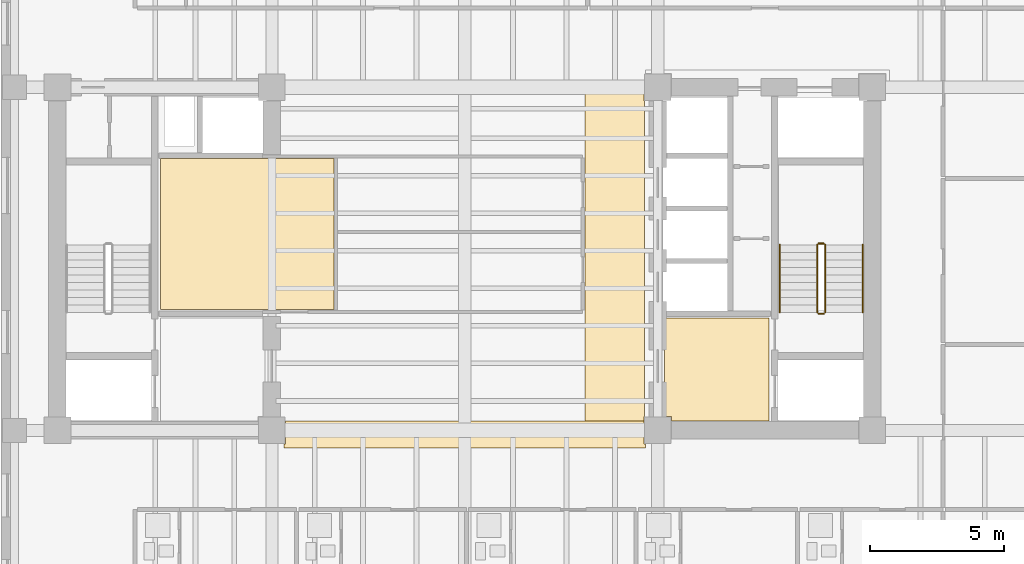
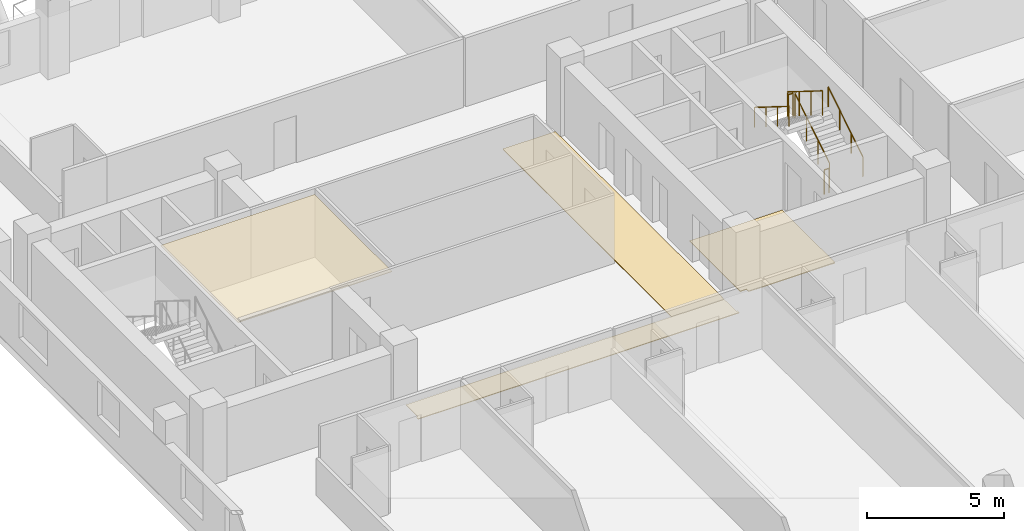
# One storey, part 10 of 12: 6 railings, 4 coverings.
"""IFC4 building model written with IfcOpenShell, lengths in metres."""

import ifcopenshell
import ifcopenshell.guid

model = None  # the IFC model being written
_history = None  # IfcOwnerHistory: only IFC2X3 demands one
_inside = {}  # id of a spatial element -> (the spatial element, [elements in it])
_under = {}  # id of a project, library or spatial element -> (it, [spatial elements below it])
_declared = {}  # id of a project -> (the project, [libraries it declares])
_typed = {}  # id of a type object -> (the type object, [elements of that type])
_made_of = {}  # id of a material, layer set ... -> (it, [elements and type objects made of it])


def new_model(schema):
    """Start an empty IFC model of exactly this schema.

    Asked for "IFC4X3", IfcOpenShell would pick the latest addendum, in which some entities
    have other attributes; the version numbers below select the first issue.
    IFC2X3 requires an IfcOwnerHistory on every rooted entity: one is made here for all.
    """
    global model, _history
    if schema == "IFC4X3":
        model = ifcopenshell.file(schema_version=(4, 3, 0, 0))
    else:
        model = ifcopenshell.file(schema=schema)
    _inside.clear()
    _under.clear()
    _declared.clear()
    _typed.clear()
    _made_of.clear()
    _history = None
    if model.schema == "IFC2X3":
        org = make("IfcOrganization", Name="unknown")
        user = make(
            "IfcPersonAndOrganization",
            ThePerson=make("IfcPerson", FamilyName="unknown"),
            TheOrganization=org,
        )
        app = make(
            "IfcApplication",
            ApplicationDeveloper=org,
            Version="unknown",
            ApplicationFullName="unknown",
            ApplicationIdentifier="unknown",
        )
        _history = make(
            "IfcOwnerHistory",
            OwningUser=user,
            OwningApplication=app,
            ChangeAction="ADDED",
            CreationDate=0,
        )
    return model


def make(cls, **values):
    """One entity of the class cls with the attributes given. An attribute that is None is left unset."""
    return model.create_entity(
        cls, **{name: value for name, value in values.items() if value is not None}
    )


def rooted(cls, **values):
    """An entity with a GlobalId (a new one), such as an element, a storey or a relation."""
    return make(cls, GlobalId=ifcopenshell.guid.new(), OwnerHistory=_history, **values)


def si_unit(unit_type, name, prefix=None):
    """IfcSIUnit, for example si_unit("LENGTHUNIT", "METRE", prefix="MILLI")."""
    return make("IfcSIUnit", UnitType=unit_type, Prefix=prefix, Name=name)


def assignment(units):
    """IfcUnitAssignment: the units of a project."""
    return None if units is None else make("IfcUnitAssignment", Units=units)


def point(xyz):
    """IfcCartesianPoint."""
    return None if xyz is None else make("IfcCartesianPoint", Coordinates=xyz)


def direction(xyz):
    """IfcDirection."""
    return None if xyz is None else make("IfcDirection", DirectionRatios=xyz)


def frame(location, z_axis=None, x_axis=None):
    """IfcAxis2Placement3D, a coordinate frame: its origin and axes. An axis left out is left unset."""
    return make(
        "IfcAxis2Placement3D",
        Location=point(location),
        Axis=direction(z_axis),
        RefDirection=direction(x_axis),
    )


def frame_2d(location, x_axis=None):
    """IfcAxis2Placement2D, a coordinate frame in the plane: its origin and x axis."""
    return make(
        "IfcAxis2Placement2D", Location=point(location), RefDirection=direction(x_axis)
    )


def origin():
    """The frame at (0, 0, 0) with its axes left unset."""
    return frame((0.0, 0.0, 0.0))


def origin_2d():
    """The frame at (0, 0) in the plane with its x axis left unset."""
    return frame_2d((0.0, 0.0))


def place(relative_to, where):
    """IfcLocalPlacement: puts the frame where relative to a parent placement (None: the world)."""
    return make(
        "IfcLocalPlacement", PlacementRelTo=relative_to, RelativePlacement=where
    )


def context(
    kind, dimensions, precision=None, world=None, true_north=None, identifier=None
):
    """IfcGeometricRepresentationContext, for example the 3D "Model" context."""
    return make(
        "IfcGeometricRepresentationContext",
        ContextIdentifier=identifier,
        ContextType=kind,
        CoordinateSpaceDimension=dimensions,
        Precision=precision,
        WorldCoordinateSystem=world,
        TrueNorth=true_north,
    )


def subcontext(parent, identifier, kind, view, scale=None):
    """IfcGeometricRepresentationSubContext, for example "Body" below "Model"."""
    return make(
        "IfcGeometricRepresentationSubContext",
        ContextIdentifier=identifier,
        ContextType=kind,
        ParentContext=parent,
        TargetScale=scale,
        TargetView=view,
    )


def project(units=None, contexts=None):
    """IfcProject with its units and contexts."""
    return rooted(
        "IfcProject",
        Name="project",
        RepresentationContexts=contexts,
        UnitsInContext=assignment(units),
    )


def spatial(cls, under=None, at=None, **own):
    """A site, building, storey or space (cls), placed at a placement, below another one or the project."""
    s = rooted(cls, ObjectPlacement=at, **own)
    if under is not None:
        _under.setdefault(under.id(), (under, []))[1].append(s)
    return s


def polyline(points):
    """IfcPolyline through the points."""
    return make("IfcPolyline", Points=[point(p) for p in points])


def profile(cls, at=None, kind="AREA", **sizes):
    """A parametric profile (cls). Its sizes go by their IFC names, for example OverallWidth=200.0."""
    return make(cls, ProfileType=kind, Position=at, **sizes)


def circle(**sizes):
    """IfcCircleProfileDef."""
    return profile("IfcCircleProfileDef", **sizes)


def outline(outer, holes=None, kind="AREA"):
    """IfcArbitraryClosedProfileDef: a profile drawn as a closed curve; with holes, ...WithVoids."""
    if holes is None:
        return make("IfcArbitraryClosedProfileDef", ProfileType=kind, OuterCurve=outer)
    return make(
        "IfcArbitraryProfileDefWithVoids",
        ProfileType=kind,
        OuterCurve=outer,
        InnerCurves=holes,
    )


def extrude(swept, where, along, depth):
    """IfcExtrudedAreaSolid: the profile swept, set in the frame where, extruded along a direction by depth."""
    return make(
        "IfcExtrudedAreaSolid",
        SweptArea=swept,
        Position=where,
        ExtrudedDirection=direction(along),
        Depth=depth,
    )


def shape(context_of_items, identifier, shape_type, items):
    """IfcShapeRepresentation: the items that make up one representation, for example the "Body"."""
    return make(
        "IfcShapeRepresentation",
        ContextOfItems=context_of_items,
        RepresentationIdentifier=identifier,
        RepresentationType=shape_type,
        Items=items,
    )


def material(Name=None, Category=None):
    """IfcMaterial."""
    return make("IfcMaterial", Name=Name, Category=Category)


def layer(
    of_material, thickness, ventilated=None, Name=None, Category=None, Priority=None
):
    """IfcMaterialLayer: one layer of a wall or slab, of a material (None: an air gap)."""
    return make(
        "IfcMaterialLayer",
        Material=of_material,
        LayerThickness=thickness,
        IsVentilated=ventilated,
        Name=Name,
        Category=Category,
        Priority=Priority,
    )


def layer_set(layers, Name=None):
    """IfcMaterialLayerSet."""
    return make("IfcMaterialLayerSet", MaterialLayers=layers, LayerSetName=Name)


def made_of(thing, what):
    """Note that an element or type object is made of a material, layer set ...; save() writes the relation."""
    if what is not None:
        _made_of.setdefault(what.id(), (what, []))[1].append(thing)
    return thing


def type_object(cls, material=None, **own):
    """A type object (cls), such as IfcWallType, which elements share."""
    return made_of(rooted(cls, **own), material)


def element(
    cls,
    number,
    at=None,
    inside=None,
    cuts=None,
    type_object=None,
    material=None,
    context=None,
    identifier="Body",
    shape_type=None,
    held_by="IfcProductDefinitionShape",
    body=None,
    shapes=None,
    **own,
):
    """One element of the class cls, such as IfcWall. Its Tag is "e" and its number.

    at: its placement. inside: the storey or other place that contains it. cuts: it is an
    opening in that element (IfcRelVoidsElement). A single representation is given by context,
    identifier, shape_type and body (its items); several are given by shapes. held_by: the class
    of the entity that holds the representations. save() writes the other relations.
    """
    e = rooted(cls, Tag="e%d" % number, ObjectPlacement=at, **own)
    if body is not None:
        shapes = [shape(context, identifier, shape_type, body)]
    if shapes is not None:
        e.Representation = make(held_by, Representations=shapes)
    if inside is not None:
        _inside.setdefault(inside.id(), (inside, []))[1].append(e)
    if cuts is not None:
        rooted(
            "IfcRelVoidsElement", RelatingBuildingElement=cuts, RelatedOpeningElement=e
        )
    if type_object is not None:
        _typed.setdefault(type_object.id(), (type_object, []))[1].append(e)
    return made_of(e, material)


def aggregate(whole, parts):
    """IfcRelAggregates: a whole, such as a stair, and the parts it consists of."""
    return rooted("IfcRelAggregates", RelatingObject=whole, RelatedObjects=parts)


def save(model, path):
    """Write the relations noted so far, then the file.

    IfcRelAggregates (storeys below a building ...), IfcRelContainedInSpatialStructure (elements
    in a storey), IfcRelDefinesByType, IfcRelAssociatesMaterial and IfcRelDeclares: one each for
    every whole, place, type object, material and project.
    """
    for whole, parts in _under.values():
        aggregate(whole, parts)
    for where, things in _inside.values():
        rooted(
            "IfcRelContainedInSpatialStructure",
            RelatedElements=things,
            RelatingStructure=where,
        )
    for kind, things in _typed.values():
        rooted("IfcRelDefinesByType", RelatedObjects=things, RelatingType=kind)
    for what, things in _made_of.values():
        rooted("IfcRelAssociatesMaterial", RelatedObjects=things, RelatingMaterial=what)
    for by, libraries in _declared.values():
        rooted("IfcRelDeclares", RelatingContext=by, RelatedDefinitions=libraries)
    model.write(path)


model = new_model("IFC4")

# Units and contexts
model_context = context("Model", 3, precision=1e-05, world=origin(), true_north=direction((0.0, 1.0)))
body_context = subcontext(model_context, "Body", "Model", "MODEL_VIEW")
ifc_project = project(units=[si_unit("LENGTHUNIT", "METRE"), si_unit("AREAUNIT", "SQUARE_METRE"), si_unit("VOLUMEUNIT", "CUBIC_METRE"), si_unit("PLANEANGLEUNIT", "RADIAN"), si_unit("MASSUNIT", "GRAM", prefix="KILO")], contexts=[model_context])

# Site, building, storey
site_placement = place(None, origin())
site = spatial("IfcSite", under=ifc_project, at=site_placement, CompositionType="ELEMENT")
building_placement = place(site_placement, origin())
building = spatial("IfcBuilding", under=site, at=building_placement, Name="Kranthara Brick Stack", CompositionType="ELEMENT")
storey_placement = place(building_placement, frame((0.0, 0.0, 158.800048828125)))
storey = spatial("IfcBuildingStorey", under=building, at=storey_placement, Name="L40", CompositionType="ELEMENT", Elevation=158.800048828125)

# Coverings
ifc_material_1 = material(Name="Perforated mineral-fibre acoustic ceiling tile", Category="other")
ifc_layer_1 = layer(ifc_material_1, 0.02490234375)
ifc_layer_set_1 = layer_set([ifc_layer_1], Name="Perforated mineral-fibre acoustic ceiling tile")
covering_type_1 = type_object("IfcCoveringType", Name="COV-CEIL-ACOUSTIC", PredefinedType="CEILING", material=ifc_layer_set_1)
covering_1_placement = place(storey_placement, frame((0.0, 0.0, 2.780029296875)))
element("IfcCovering", 1, at=covering_1_placement, inside=storey, type_object=covering_type_1, Name="L40 L40 Hotel Business Study Acoustic Ceiling", PredefinedType="CEILING", context=body_context, shape_type="SweptSolid", body=[
    extrude(outline(polyline([(23.1201171875, 25.300048828125), (23.1201171875, 30.93994140625), (16.64990234375, 30.93994140625), (16.64990234375, 25.300048828125), (23.1201171875, 25.300048828125)])), origin(), (0.0, 0.0, 1.0), 0.02490234375),
])
ifc_material_2 = material(Name="Honed terrazzo and porcelain floor finish", Category="stone")
ifc_layer_2 = layer(ifc_material_2, 0.030029296875)
ifc_layer_set_2 = layer_set([ifc_layer_2], Name="Honed terrazzo and porcelain floor finish")
covering_type_2 = type_object("IfcCoveringType", Name="COV-FLOR-STONE", PredefinedType="FLOORING", material=ifc_layer_set_2)
covering_2_placement = place(storey_placement, origin())
element("IfcCovering", 2, at=covering_2_placement, inside=storey, type_object=covering_type_2, Name="L40 Lift Lobby Stone Flooring", PredefinedType="FLOORING", context=body_context, shape_type="SweptSolid", body=[
    extrude(outline(polyline([(35.449951171875, 25.0), (39.35009765625, 25.0), (39.35009765625, 21.14990234375), (35.7099609375, 21.14990234375), (35.7099609375, 21.31005859375), (35.449951171875, 21.31005859375), (35.449951171875, 25.0)])), origin(), (0.0, 0.0, 1.0), 0.030029296875),
])
covering_3_placement = place(storey_placement, origin())
element("IfcCovering", 3, at=covering_3_placement, inside=storey, type_object=covering_type_2, Name="L40 Lift Lobby Stone Flooring", PredefinedType="FLOORING", context=body_context, shape_type="SweptSolid", body=[
    extrude(outline(polyline([(32.47998046875, 33.449951171875), (34.68994140625, 33.449951171875), (34.68994140625, 33.090087890625), (34.699951171875, 33.090087890625), (34.699951171875, 21.31005859375), (34.68994140625, 21.31005859375), (34.68994140625, 21.14990234375), (32.47998046875, 21.14990234375), (32.47998046875, 33.449951171875)])), origin(), (0.0, 0.0, 1.0), 0.030029296875),
])
covering_4_placement = place(storey_placement, origin())
element("IfcCovering", 4, at=covering_4_placement, inside=storey, type_object=covering_type_2, Name="L40 Lift Lobby Stone Flooring", PredefinedType="FLOORING", context=body_context, shape_type="SweptSolid", body=[
    extrude(outline(polyline([(21.25, 20.2900390625), (21.31005859375, 20.2900390625), (21.31005859375, 21.14990234375), (32.47998046875, 21.14990234375), (34.68994140625, 21.14990234375), (34.68994140625, 20.2900390625), (34.75, 20.2900390625), (34.75, 20.14990234375), (21.25, 20.14990234375), (21.25, 20.2900390625)])), origin(), (0.0, 0.0, 1.0), 0.030029296875),
])

# Railings
ifc_material_3 = material(Name="Painted galvanized steel stair guardrail", Category="steel")
railing_type_1 = type_object("IfcRailingType", Name="RL-STAIR-GUARD-1100", PredefinedType="GUARDRAIL", material=ifc_material_3)
railing_1_placement = place(storey_placement, frame((41.449951171875, 25.199951171875, 0.175048828125)))
element("IfcRailing", 5, at=railing_1_placement, inside=storey, type_object=railing_type_1, Name="L40 ST02 stair guard 1", PredefinedType="GUARDRAIL", context=body_context, shape_type="SweptSolid", body=[
    extrude(circle(Radius=0.02392578125, at=origin_2d()), frame((0.0, 0.0, 1.076171875), z_axis=(0.0, 0.848007534815, 0.529984170421), x_axis=(-1.0, 0.0, 0.0)), (0.0, 0.0, 1.0), 2.9716796875),
    extrude(circle(Radius=0.02099609375, at=origin_2d()), origin(), (0.0, 0.0, 1.0), 1.052001953125),
    extrude(circle(Radius=0.02099609375, at=origin_2d()), frame((0.0, 0.840087890625, 0.52490234375)), (0.0, 0.0, 1.0), 1.052001953125),
    extrude(circle(Radius=0.02099609375, at=origin_2d()), frame((0.0, 1.679931640625, 1.050048828125)), (0.0, 0.0, 1.0), 1.052001953125),
    extrude(circle(Radius=0.02099609375, at=origin_2d()), frame((0.0, 2.52001953125, 1.574951171875)), (0.0, 0.0, 1.0), 1.052001953125),
])
railing_2_placement = place(storey_placement, frame((41.39990234375, 27.77001953125, 1.75)))
element("IfcRailing", 6, at=railing_2_placement, inside=storey, type_object=railing_type_1, Name="L40 ST02 stair guard 2", PredefinedType="GUARDRAIL", context=body_context, shape_type="SweptSolid", body=[
    extrude(circle(Radius=0.02392578125, at=origin_2d()), frame((0.0, 0.0, 1.076171875), z_axis=(-1.0, 0.0, 0.0), x_axis=(0.0, -1.0, 0.0)), (0.0, 0.0, 1.0), 0.199951171875),
    extrude(circle(Radius=0.02099609375, at=origin_2d()), origin(), (0.0, 0.0, 1.0), 1.052001953125),
    extrude(circle(Radius=0.02099609375, at=origin_2d()), frame((-0.199951171875, 0.0, 0.0)), (0.0, 0.0, 1.0), 1.052001953125),
])
railing_3_placement = place(storey_placement, frame((41.14990234375, 27.719970703125, 1.925048828125)))
element("IfcRailing", 7, at=railing_3_placement, inside=storey, type_object=railing_type_1, Name="L40 ST02 stair guard 3", PredefinedType="GUARDRAIL", context=body_context, shape_type="SweptSolid", body=[
    extrude(circle(Radius=0.02392578125, at=origin_2d()), frame((0.0, 0.0, 1.076171875), z_axis=(0.0, -0.848007534815, 0.529984170421), x_axis=(1.0, 0.0, 0.0)), (0.0, 0.0, 1.0), 2.9716796875),
    extrude(circle(Radius=0.02099609375, at=origin_2d()), origin(), (0.0, 0.0, 1.0), 1.052001953125),
    extrude(circle(Radius=0.02099609375, at=origin_2d()), frame((0.0, -0.840087890625, 0.52490234375)), (0.0, 0.0, 1.0), 1.052001953125),
    extrude(circle(Radius=0.02099609375, at=origin_2d()), frame((0.0, -1.679931640625, 1.050048828125)), (0.0, 0.0, 1.0), 1.052001953125),
    extrude(circle(Radius=0.02099609375, at=origin_2d()), frame((0.0, -2.52001953125, 1.574951171875)), (0.0, 0.0, 1.0), 1.052001953125),
])
railing_4_placement = place(storey_placement, frame((41.39990234375, 25.14990234375, 0.0)))
element("IfcRailing", 8, at=railing_4_placement, inside=storey, type_object=railing_type_1, Name="L40 ST02 stair guard 4", PredefinedType="GUARDRAIL", context=body_context, shape_type="SweptSolid", body=[
    extrude(circle(Radius=0.02392578125, at=origin_2d()), frame((0.0, 0.0, 1.076171875), z_axis=(-1.0, 0.0, 0.0), x_axis=(0.0, -1.0, 0.0)), (0.0, 0.0, 1.0), 0.199951171875),
    extrude(circle(Radius=0.02099609375, at=origin_2d()), origin(), (0.0, 0.0, 1.0), 1.052001953125),
    extrude(circle(Radius=0.02099609375, at=origin_2d()), frame((-0.199951171875, 0.0, 0.0)), (0.0, 0.0, 1.0), 1.052001953125),
])
ifc_material_4 = material(Name="Brushed stainless steel tubular handrail", Category="steel")
railing_type_2 = type_object("IfcRailingType", Name="RL-STAIR-HAND-900", PredefinedType="HANDRAIL", material=ifc_material_4)
railing_5_placement = place(storey_placement, frame((42.85009765625, 25.199951171875, 0.175048828125)))
element("IfcRailing", 9, at=railing_5_placement, inside=storey, type_object=railing_type_2, Name="L40 ST02 stair handrail 1", PredefinedType="HANDRAIL", context=body_context, shape_type="SweptSolid", body=[
    extrude(circle(Radius=0.02392578125, at=origin_2d()), frame((0.0, 0.0, 0.8759765625), z_axis=(0.0, 0.848007534815, 0.529984170421), x_axis=(-1.0, 0.0, 0.0)), (0.0, 0.0, 1.0), 2.9716796875),
    extrude(circle(Radius=0.02099609375, at=origin_2d()), origin(), (0.0, 0.0, 1.0), 0.851806640625),
    extrude(circle(Radius=0.02099609375, at=origin_2d()), frame((0.0, 0.840087890625, 0.52490234375)), (0.0, 0.0, 1.0), 0.851806640625),
    extrude(circle(Radius=0.02099609375, at=origin_2d()), frame((0.0, 1.679931640625, 1.050048828125)), (0.0, 0.0, 1.0), 0.851806640625),
    extrude(circle(Radius=0.02099609375, at=origin_2d()), frame((0.0, 2.52001953125, 1.574951171875)), (0.0, 0.0, 1.0), 0.851806640625),
])
railing_6_placement = place(storey_placement, frame((39.75, 27.719970703125, 1.925048828125)))
element("IfcRailing", 10, at=railing_6_placement, inside=storey, type_object=railing_type_2, Name="L40 ST02 stair handrail 2", PredefinedType="HANDRAIL", context=body_context, shape_type="SweptSolid", body=[
    extrude(circle(Radius=0.02392578125, at=origin_2d()), frame((0.0, 0.0, 0.8759765625), z_axis=(0.0, -0.848007534815, 0.529984170421), x_axis=(1.0, 0.0, 0.0)), (0.0, 0.0, 1.0), 2.9716796875),
    extrude(circle(Radius=0.02099609375, at=origin_2d()), origin(), (0.0, 0.0, 1.0), 0.851806640625),
    extrude(circle(Radius=0.02099609375, at=origin_2d()), frame((0.0, -0.840087890625, 0.52490234375)), (0.0, 0.0, 1.0), 0.851806640625),
    extrude(circle(Radius=0.02099609375, at=origin_2d()), frame((0.0, -1.679931640625, 1.050048828125)), (0.0, 0.0, 1.0), 0.851806640625),
    extrude(circle(Radius=0.02099609375, at=origin_2d()), frame((0.0, -2.52001953125, 1.574951171875)), (0.0, 0.0, 1.0), 0.851806640625),
])

save(model, "model.ifc")
